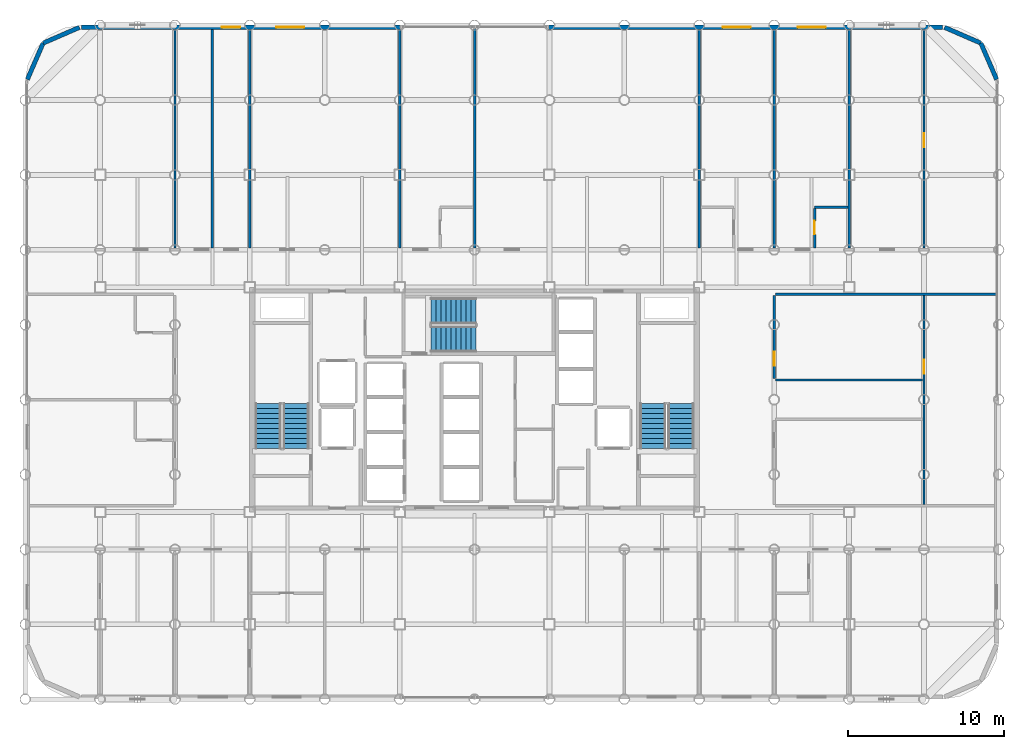
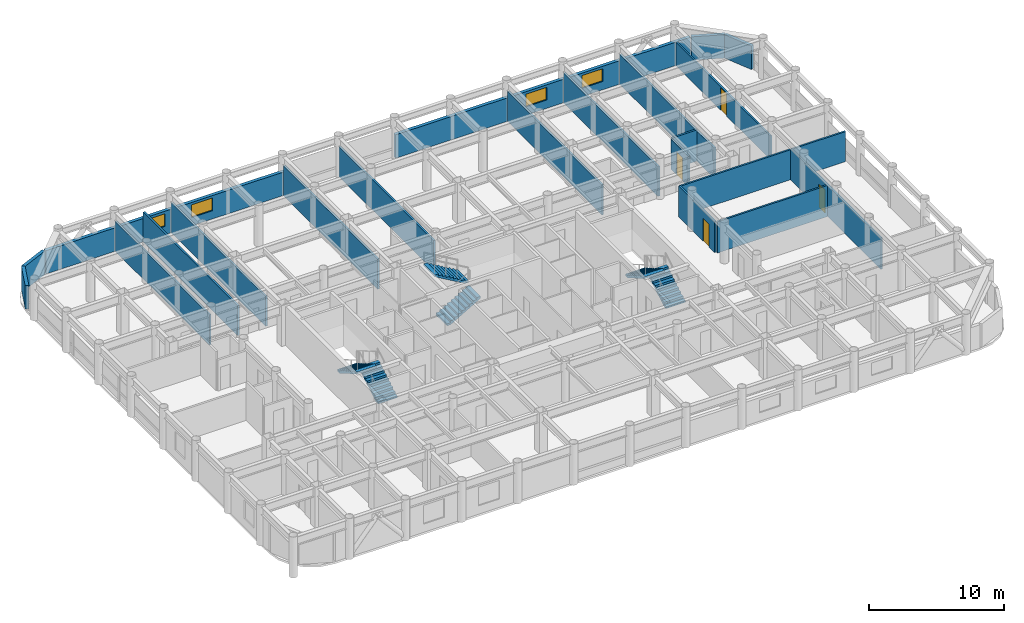
# One storey, part 19 of 20: 21 walls, 6 stair flights, 4 doors, 4 windows, 8 openings, 3 elements without a shape of their own.
"""IFC4 building model written with IfcOpenShell, lengths in metres."""

from ifc_helpers import new_model, si_unit, direction, frame, frame_2d, origin, place, context, subcontext, project, spatial, polyline, rectangle, outline, extrude, material, layer, layer_set, type_object, element, fill, aggregate, save


model = new_model("IFC4")

# Units and contexts
model_context = context("Model", 3, precision=1e-05, world=origin(), true_north=direction((0.0, 1.0)))
body_context = subcontext(model_context, "Body", "Model", "MODEL_VIEW")
ifc_project = project(units=[si_unit("LENGTHUNIT", "METRE"), si_unit("AREAUNIT", "SQUARE_METRE"), si_unit("VOLUMEUNIT", "CUBIC_METRE"), si_unit("PLANEANGLEUNIT", "RADIAN"), si_unit("MASSUNIT", "GRAM", prefix="KILO")], contexts=[model_context])

# Site, building, storey
site_placement = place(None, origin())
site = spatial("IfcSite", under=ifc_project, at=site_placement, CompositionType="ELEMENT")
building_placement = place(site_placement, origin())
building = spatial("IfcBuilding", under=site, at=building_placement, Name="Kallvorn Hotel Tower", CompositionType="ELEMENT")
storey_placement = place(building_placement, frame((0.0, 0.0, 98.89990234375)))
storey = spatial("IfcBuildingStorey", under=building, at=storey_placement, Name="L23", CompositionType="ELEMENT", Elevation=98.89990234375)

# Walls
ifc_material_1 = material(Name="Fire-rated double-layer acoustic gypsum drywall EI 60")
ifc_layer_1 = layer(ifc_material_1, 0.159912109375)
ifc_layer_set_1 = layer_set([ifc_layer_1], Name="WL_DEMISE_160")
wall_type_1 = type_object("IfcWallType", Name="WL_DEMISE_160", PredefinedType="PARTITIONING", material=ifc_layer_set_1)
wall_1_placement = place(storey_placement, frame((21.7900390625, 12.320068359375, 0.0), z_axis=(0.0, 0.0, 1.0), x_axis=(1.0, 0.0, 0.0)))
element("IfcWall", 1, at=wall_1_placement, inside=storey, type_object=wall_type_1, Name="L23 Suite 2307 Standard King Room Partition", PredefinedType="PARTITIONING", context=body_context, shape_type="SweptSolid", body=[
    extrude(rectangle(XDim=2.1298828125, YDim=0.159912109375, at=frame_2d((1.06494140625, 0.0))), origin(), (0.0, 0.0, 1.0), 2.820068359375),
])
wall_2_placement = place(storey_placement, frame((-4.800048828125, 9.719970703125, 0.0), z_axis=(0.0, 0.0, 1.0), x_axis=(0.0, 1.0, 0.0)))
element("IfcWall", 2, at=wall_2_placement, inside=storey, type_object=wall_type_1, Name="L23 Suite 2305 Standard King Room Partition", PredefinedType="PARTITIONING", context=body_context, shape_type="SweptSolid", body=[
    extrude(rectangle(XDim=13.989990234375, YDim=0.159912109375, at=frame_2d((6.9951171875, 0.0))), origin(), (0.0, 0.0, 1.0), 2.72021484375),
])
wall_3_placement = place(storey_placement, frame((0.0, 9.719970703125, 0.0), z_axis=(0.0, 0.0, 1.0), x_axis=(0.0, 1.0, 0.0)))
element("IfcWall", 3, at=wall_3_placement, inside=storey, type_object=wall_type_1, Name="L23 Suite 2305 Standard King Room Partition", PredefinedType="PARTITIONING", context=body_context, shape_type="SweptSolid", body=[
    extrude(rectangle(XDim=14.074951171875, YDim=0.159912109375, at=frame_2d((7.03759765625, 0.0))), origin(), (0.0, 0.0, 1.0), 2.72021484375),
])
for number, where, z_axis, x_axis, name in (
    (4, (14.39990234375, 9.719970703125, 0.0), (0.0, 0.0, 1.0), (0.0, 1.0, 0.0), "L23 Suite 2306 Standard King Room Partition"),
    (5, (19.199951171875, 9.719970703125, 0.0), (0.0, 0.0, 1.0), (0.0, 1.0, 0.0), "L23 Suite 2306 Standard King Room Partition"),
):
    element("IfcWall", number, at=place(storey_placement, frame(where, z_axis=z_axis, x_axis=x_axis)), inside=storey, type_object=wall_type_1, Name=name, PredefinedType="PARTITIONING", context=body_context, shape_type="SweptSolid", body=[
        extrude(rectangle(XDim=13.989990234375, YDim=0.159912109375, at=frame_2d((6.9951171875, 0.0))), origin(), (0.0, 0.0, 1.0), 2.72021484375),
    ])

# Wall, opening, door
wall_4_placement = place(storey_placement, frame((21.7900390625, 9.719970703125, 0.0), z_axis=(0.0, 0.0, 1.0), x_axis=(0.0, 1.0, 0.0)))
wall_4 = element("IfcWall", 6, at=wall_4_placement, inside=storey, type_object=wall_type_1, Name="L23 Suite 2307 Standard King Room Partition", PredefinedType="PARTITIONING", context=body_context, shape_type="SweptSolid", body=[
    extrude(rectangle(XDim=2.51513671875, YDim=0.159912109375, at=frame_2d((1.257568359375, 0.0))), origin(), (0.0, 0.0, 1.0), 2.72021484375),
])
opening_1_placement = place(wall_4_placement, frame((0.8701171875, 0.0, 0.0)))
opening_1 = element("IfcOpeningElement", 7, at=opening_1_placement, cuts=wall_4, Name="Opening BD-I", PredefinedType="OPENING", context=body_context, shape_type="SweptSolid", body=[
    extrude(rectangle(XDim=0.860107421875, YDim=2.10009765625, at=frame_2d((0.43017578125, 1.050048828125))), frame((0.0, 0.094970703125, 0.0), z_axis=(0.0, -1.0, 0.0), x_axis=(1.0, 0.0, 0.0)), (0.0, 0.0, 1.0), 0.18994140625),
])
ifc_material_2 = material(Name="Solid-core walnut veneer fire-rated timber door leaf", Category="wood")
door_type_1 = type_object("IfcDoorType", Name="DR_BATH_860x2100", OperationType="NOTDEFINED", PredefinedType="DOOR", material=ifc_material_2)
door_1_placement = place(opening_1_placement, origin())
door_1 = element("IfcDoor", 8, at=door_1_placement, inside=storey, type_object=door_type_1, Name="L23 Suite 2307 En-Suite Bathroom Door", OperationType="SINGLE_SWING_LEFT", OverallHeight=2.10009765625, OverallWidth=0.860107421875, PredefinedType="DOOR", context=body_context, shape_type="SweptSolid", body=[
    extrude(rectangle(XDim=0.860107421875, YDim=2.10009765625, at=frame_2d((0.43017578125, 1.050048828125))), frame((0.0, 0.02490234375, 0.0), z_axis=(0.0, -1.0, 0.0), x_axis=(1.0, 0.0, 0.0)), (0.0, 0.0, 1.0), 0.050048828125),
])
fill(opening_1, door_1)

# Walls
wall_5_placement = place(storey_placement, frame((24.0, 9.719970703125, 0.0), z_axis=(0.0, 0.0, 1.0), x_axis=(0.0, 1.0, 0.0)))
element("IfcWall", 9, at=wall_5_placement, inside=storey, type_object=wall_type_1, Name="L23 Suite 2307 Standard King Room Partition", PredefinedType="PARTITIONING", context=body_context, shape_type="SweptSolid", body=[
    extrude(rectangle(XDim=13.989990234375, YDim=0.159912109375, at=frame_2d((6.9951171875, 0.0))), origin(), (0.0, 0.0, 1.0), 2.72021484375),
])
ifc_material_3 = material(Name="Precast basalt-clad insulated concrete wall C40/50", Category="masonry")
ifc_layer_2 = layer(ifc_material_3, 0.280029296875)
ifc_layer_set_2 = layer_set([ifc_layer_2], Name="WL_EXT_LOGGIA_280")
wall_type_2 = type_object("IfcWallType", Name="WL_EXT_LOGGIA_280", PredefinedType="SOLIDWALL", material=ifc_layer_set_2)
wall_6_placement = place(storey_placement, frame((33.4580078125, 20.520751953125, 0.0), z_axis=(0.0, 0.0, 1.0), x_axis=(-0.398792985289, 0.917040977756, 0.0)))
element("IfcWall", 10, at=wall_6_placement, inside=storey, type_object=wall_type_2, Name="L23 Rounded Corner Exterior Wall NE1", PredefinedType="SOLIDWALL", context=body_context, shape_type="SweptSolid", body=[
    extrude(rectangle(XDim=2.536376953125, YDim=0.280029296875, at=frame_2d((1.26806640625, 0.0))), origin(), (0.0, 0.0, 1.0), 2.1201171875),
])
for number, where, z_axis, x_axis, name in (
    (11, (32.446533203125, 22.8466796875, 0.0), (0.0, 0.0, 1.0), (-0.917060872934, 0.398747232384, 0.0), "L23 Rounded Corner Exterior Wall NE2"),
    (12, (-25.32080078125, 23.85791015625, 0.0), (0.0, 0.0, 1.0), (-0.917060872934, -0.398747232384, 0.0), "L23 Rounded Corner Exterior Wall NW1"),
):
    element("IfcWall", number, at=place(storey_placement, frame(where, z_axis=z_axis, x_axis=x_axis)), inside=storey, type_object=wall_type_2, Name=name, PredefinedType="SOLIDWALL", context=body_context, shape_type="SweptSolid", body=[
        extrude(rectangle(XDim=2.5361328125, YDim=0.280029296875, at=frame_2d((1.26806640625, 0.0))), origin(), (0.0, 0.0, 1.0), 2.1201171875),
    ])
wall_7_placement = place(storey_placement, frame((-27.646484375, 22.8466796875, 0.0), z_axis=(0.0, 0.0, 1.0), x_axis=(-0.398792985289, -0.917040977756, 0.0)))
element("IfcWall", 13, at=wall_7_placement, inside=storey, type_object=wall_type_2, Name="L23 Rounded Corner Exterior Wall NW2", PredefinedType="SOLIDWALL", context=body_context, shape_type="SweptSolid", body=[
    extrude(rectangle(XDim=2.536376953125, YDim=0.280029296875, at=frame_2d((1.26806640625, 0.0))), origin(), (0.0, 0.0, 1.0), 2.1201171875),
])

# Wall, openings, windows
wall_8_placement = place(storey_placement, frame((-25.199951171875, 23.860107421875, 0.0), z_axis=(0.0, 0.0, 1.0), x_axis=(1.0, 0.0, 0.0)))
wall_8 = element("IfcWall", 14, at=wall_8_placement, inside=storey, type_object=wall_type_2, Name="L23 Exterior Envelope Wall EW-L23-NW", PredefinedType="SOLIDWALL", context=body_context, shape_type="SweptSolid", body=[
    extrude(rectangle(XDim=20.449951171875, YDim=0.280029296875, at=frame_2d((10.22509765625, 0.0))), origin(), (0.0, 0.0, 1.0), 2.1201171875),
])
opening_2_placement = place(wall_8_placement, frame((9.0, 0.0, 0.75)))
opening_2 = element("IfcOpeningElement", 15, at=opening_2_placement, cuts=wall_8, Name="Opening W06A", PredefinedType="OPENING", context=body_context, shape_type="SweptSolid", body=[
    extrude(rectangle(XDim=1.199951171875, YDim=1.14990234375, at=frame_2d((0.60009765625, 0.574951171875))), frame((0.0, 0.155029296875, 0.0), z_axis=(0.0, -1.0, 0.0), x_axis=(1.0, 0.0, 0.0)), (0.0, 0.0, 1.0), 0.31005859375),
])
opening_3_placement = place(wall_8_placement, frame((12.47998046875, 0.0, 0.75)))
opening_3 = element("IfcOpeningElement", 16, at=opening_3_placement, cuts=wall_8, Name="Opening W04A", PredefinedType="OPENING", context=body_context, shape_type="SweptSolid", body=[
    extrude(rectangle(XDim=1.800048828125, YDim=1.14990234375, at=frame_2d((0.89990234375, 0.574951171875))), frame((0.0, 0.155029296875, 0.0), z_axis=(0.0, -1.0, 0.0), x_axis=(1.0, 0.0, 0.0)), (0.0, 0.0, 1.0), 0.31005859375),
])
ifc_material_4 = material(Name="Triple-glazed low-e acoustic solar-control dark glass", Category="glass")
window_type_1 = type_object("IfcWindowType", Name="WN_HTL_1200x1150", PartitioningType="SINGLE_PANEL", PredefinedType="WINDOW", material=ifc_material_4)
window_1_placement = place(opening_2_placement, origin())
window_1 = element("IfcWindow", 17, at=window_1_placement, inside=storey, type_object=window_type_1, Name="L23 Guestroom Exterior Window 09", OverallHeight=1.14990234375, OverallWidth=1.199951171875, PartitioningType="SINGLE_PANEL", PredefinedType="WINDOW", context=body_context, shape_type="SweptSolid", body=[
    extrude(rectangle(XDim=1.199951171875, YDim=1.14990234375, at=frame_2d((0.60009765625, 0.574951171875))), frame((0.0, 0.030029296875, 0.0), z_axis=(0.0, -1.0, 0.0), x_axis=(1.0, 0.0, 0.0)), (0.0, 0.0, 1.0), 0.06005859375),
])
fill(opening_2, window_1)
ifc_material_5 = material(Name="Double-glazed low-e solar-control dark glass", Category="glass")
window_type_2 = type_object("IfcWindowType", Name="WN_HTL_1800x1150", PartitioningType="SINGLE_PANEL", PredefinedType="WINDOW", material=ifc_material_5)
window_2_placement = place(opening_3_placement, origin())
window_2 = element("IfcWindow", 18, at=window_2_placement, inside=storey, type_object=window_type_2, Name="L23 Guestroom Exterior Window 10", OverallHeight=1.14990234375, OverallWidth=1.800048828125, PartitioningType="SINGLE_PANEL", PredefinedType="WINDOW", context=body_context, shape_type="SweptSolid", body=[
    extrude(rectangle(XDim=1.800048828125, YDim=1.14990234375, at=frame_2d((0.89990234375, 0.574951171875))), frame((0.0, 0.030029296875, 0.0), z_axis=(0.0, -1.0, 0.0), x_axis=(1.0, 0.0, 0.0)), (0.0, 0.0, 1.0), 0.06005859375),
])
fill(opening_3, window_2)

wall_9_placement = place(storey_placement, frame((4.75, 23.860107421875, 0.0), z_axis=(0.0, 0.0, 1.0), x_axis=(1.0, 0.0, 0.0)))
wall_9 = element("IfcWall", 19, at=wall_9_placement, inside=storey, type_object=wall_type_2, Name="L23 Exterior Envelope Wall EW-L23-NE", PredefinedType="SOLIDWALL", context=body_context, shape_type="SweptSolid", body=[
    extrude(rectangle(XDim=25.25, YDim=0.280029296875, at=frame_2d((12.625, 0.0))), origin(), (0.0, 0.0, 1.0), 2.1201171875),
])
opening_4_placement = place(wall_9_placement, frame((11.14990234375, 0.0, 0.75)))
opening_4 = element("IfcOpeningElement", 20, at=opening_4_placement, cuts=wall_9, Name="Opening W04A", PredefinedType="OPENING", context=body_context, shape_type="SweptSolid", body=[
    extrude(rectangle(XDim=1.800048828125, YDim=1.14990234375, at=frame_2d((0.89990234375, 0.574951171875))), frame((0.0, 0.155029296875, 0.0), z_axis=(0.0, -1.0, 0.0), x_axis=(1.0, 0.0, 0.0)), (0.0, 0.0, 1.0), 0.31005859375),
])
opening_5_placement = place(wall_9_placement, frame((15.949951171875, 0.0, 0.75)))
opening_5 = element("IfcOpeningElement", 21, at=opening_5_placement, cuts=wall_9, Name="Opening W04A", PredefinedType="OPENING", context=body_context, shape_type="SweptSolid", body=[
    extrude(rectangle(XDim=1.800048828125, YDim=1.14990234375, at=frame_2d((0.89990234375, 0.574951171875))), frame((0.0, 0.155029296875, 0.0), z_axis=(0.0, -1.0, 0.0), x_axis=(1.0, 0.0, 0.0)), (0.0, 0.0, 1.0), 0.31005859375),
])
window_3_placement = place(opening_4_placement, origin())
window_3 = element("IfcWindow", 22, at=window_3_placement, inside=storey, type_object=window_type_2, Name="L23 Guestroom Exterior Window 11", OverallHeight=1.14990234375, OverallWidth=1.800048828125, PartitioningType="SINGLE_PANEL", PredefinedType="WINDOW", context=body_context, shape_type="SweptSolid", body=[
    extrude(rectangle(XDim=1.800048828125, YDim=1.14990234375, at=frame_2d((0.89990234375, 0.574951171875))), frame((0.0, 0.030029296875, 0.0), z_axis=(0.0, -1.0, 0.0), x_axis=(1.0, 0.0, 0.0)), (0.0, 0.0, 1.0), 0.06005859375),
])
fill(opening_4, window_3)
window_4_placement = place(opening_5_placement, origin())
window_4 = element("IfcWindow", 23, at=window_4_placement, inside=storey, type_object=window_type_2, Name="L23 Guestroom Exterior Window 12", OverallHeight=1.14990234375, OverallWidth=1.800048828125, PartitioningType="SINGLE_PANEL", PredefinedType="WINDOW", context=body_context, shape_type="SweptSolid", body=[
    extrude(rectangle(XDim=1.800048828125, YDim=1.14990234375, at=frame_2d((0.89990234375, 0.574951171875))), frame((0.0, 0.030029296875, 0.0), z_axis=(0.0, -1.0, 0.0), x_axis=(1.0, 0.0, 0.0)), (0.0, 0.0, 1.0), 0.06005859375),
])
fill(opening_5, window_4)

# Walls
ifc_material_6 = material(Name="Fire-rated double-layer acoustic gypsum drywall EI 60")
ifc_layer_3 = layer(ifc_material_6, 0.14990234375)
ifc_layer_set_3 = layer_set([ifc_layer_3], Name="WL_PART_150")
wall_type_3 = type_object("IfcWallType", Name="WL_PART_150", PredefinedType="PARTITIONING", material=ifc_layer_set_3)
wall_10_placement = place(storey_placement, frame((19.280029296875, 1.260009765625, 0.0), z_axis=(0.0, 0.0, 1.0), x_axis=(1.0, 0.0, 0.0)))
element("IfcWall", 24, at=wall_10_placement, inside=storey, type_object=wall_type_3, Name="L23 L23 East Inner Screening Salon Partition", PredefinedType="PARTITIONING", context=body_context, shape_type="SweptSolid", body=[
    extrude(rectangle(XDim=9.43994140625, YDim=0.14990234375, at=frame_2d((4.719970703125, 0.0))), origin(), (0.0, 0.0, 1.0), 2.820068359375),
])
wall_11_placement = place(storey_placement, frame((19.280029296875, 6.75, 0.0), z_axis=(0.0, 0.0, 1.0), x_axis=(1.0, 0.0, 0.0)))
element("IfcWall", 25, at=wall_11_placement, inside=storey, type_object=wall_type_3, Name="L23 L23 East Inner Screening Salon Partition", PredefinedType="PARTITIONING", context=body_context, shape_type="SweptSolid", body=[
    extrude(rectangle(XDim=14.14990234375, YDim=0.14990234375, at=frame_2d((7.074951171875, 0.0))), origin(), (0.0, 0.0, 1.0), 2.72021484375),
])
for number, where, z_axis, x_axis, name in (
    (26, (-19.199951171875, 9.719970703125, 0.0), (0.0, 0.0, 1.0), (0.0, 1.0, 0.0), "L23 Housekeeping and Linen Room Partition"),
    (27, (-16.800048828125, 9.719970703125, 0.0), (0.0, 0.0, 1.0), (0.0, 1.0, 0.0), "L23 Guest Tea and Refreshment Bar Partition"),
    (28, (-14.39990234375, 9.719970703125, 0.0), (0.0, 0.0, 1.0), (0.0, 1.0, 0.0), "L23 Guest Tea and Refreshment Bar Partition"),
):
    element("IfcWall", number, at=place(storey_placement, frame(where, z_axis=z_axis, x_axis=x_axis)), inside=storey, type_object=wall_type_3, Name=name, PredefinedType="PARTITIONING", context=body_context, shape_type="SweptSolid", body=[
        extrude(rectangle(XDim=13.989990234375, YDim=0.14990234375, at=frame_2d((6.9951171875, 0.0))), origin(), (0.0, 0.0, 1.0), 2.72021484375),
    ])

# Wall, opening, door
wall_12_placement = place(storey_placement, frame((19.199951171875, 1.344970703125, 0.0), z_axis=(0.0, 0.0, 1.0), x_axis=(0.0, 1.0, 0.0)))
wall_12 = element("IfcWall", 29, at=wall_12_placement, inside=storey, type_object=wall_type_3, Name="L23 L23 East Inner Screening Salon Partition", PredefinedType="PARTITIONING", context=body_context, shape_type="SweptSolid", body=[
    extrude(rectangle(XDim=5.320068359375, YDim=0.14990234375, at=frame_2d((2.66015625, 0.0))), origin(), (0.0, 0.0, 1.0), 2.820068359375),
])
opening_6_placement = place(wall_12_placement, frame((0.81689453125, 0.0, 0.0)))
opening_6 = element("IfcOpeningElement", 30, at=opening_6_placement, cuts=wall_12, Name="Opening SVD1", PredefinedType="OPENING", context=body_context, shape_type="SweptSolid", body=[
    extrude(rectangle(XDim=0.89990234375, YDim=2.10009765625, at=frame_2d((0.449951171875, 1.050048828125))), frame((0.0, 0.08984375, 0.0), z_axis=(0.0, -1.0, 0.0), x_axis=(1.0, 0.0, 0.0)), (0.0, 0.0, 1.0), 0.179931640625),
])
ifc_material_7 = material(Name="Galvanised painted steel fire-rated door assembly", Category="steel")
door_type_2 = type_object("IfcDoorType", Name="DR_SERV_900x2100", OperationType="NOTDEFINED", PredefinedType="DOOR", material=ifc_material_7)
door_2_placement = place(opening_6_placement, origin())
door_2 = element("IfcDoor", 31, at=door_2_placement, inside=storey, type_object=door_type_2, Name="L23 L23 East Inner Screening Salon Door", OperationType="SINGLE_SWING_LEFT", OverallHeight=2.10009765625, OverallWidth=0.89990234375, PredefinedType="DOOR", context=body_context, shape_type="SweptSolid", body=[
    extrude(rectangle(XDim=0.89990234375, YDim=2.10009765625, at=frame_2d((0.449951171875, 1.050048828125))), frame((0.0, 0.02490234375, 0.0), z_axis=(0.0, -1.0, 0.0), x_axis=(1.0, 0.0, 0.0)), (0.0, 0.0, 1.0), 0.050048828125),
])
fill(opening_6, door_2)

wall_13_placement = place(storey_placement, frame((28.800048828125, -6.715087890625, 0.0), z_axis=(0.0, 0.0, 1.0), x_axis=(0.0, 1.0, 0.0)))
wall_13 = element("IfcWall", 32, at=wall_13_placement, inside=storey, type_object=wall_type_3, Name="L23 L23 East Inner Club Bar Partition", PredefinedType="PARTITIONING", context=body_context, shape_type="SweptSolid", body=[
    extrude(rectangle(XDim=13.380126953125, YDim=0.14990234375, at=frame_2d((6.68994140625, 0.0))), origin(), (0.0, 0.0, 1.0), 2.820068359375),
])
opening_7_placement = place(wall_13_placement, frame((8.37939453125, 0.0, 0.0)))
opening_7 = element("IfcOpeningElement", 33, at=opening_7_placement, cuts=wall_13, Name="Opening SVD1", PredefinedType="OPENING", context=body_context, shape_type="SweptSolid", body=[
    extrude(rectangle(XDim=0.89990234375, YDim=2.10009765625, at=frame_2d((0.449951171875, 1.050048828125))), frame((0.0, 0.08984375, 0.0), z_axis=(0.0, -1.0, 0.0), x_axis=(1.0, 0.0, 0.0)), (0.0, 0.0, 1.0), 0.179931640625),
])
door_3_placement = place(opening_7_placement, origin())
door_3 = element("IfcDoor", 34, at=door_3_placement, inside=storey, type_object=door_type_2, Name="L23 L23 E Cordillera Panorama Dining Salon Door", OperationType="SINGLE_SWING_RIGHT", OverallHeight=2.10009765625, OverallWidth=0.89990234375, PredefinedType="DOOR", context=body_context, shape_type="SweptSolid", body=[
    extrude(rectangle(XDim=0.89990234375, YDim=2.10009765625, at=frame_2d((0.449951171875, 1.050048828125))), frame((0.0, 0.02490234375, 0.0), z_axis=(0.0, -1.0, 0.0), x_axis=(1.0, 0.0, 0.0)), (0.0, 0.0, 1.0), 0.050048828125),
])
fill(opening_7, door_3)

wall_14_placement = place(storey_placement, frame((28.800048828125, 9.719970703125, 0.0), z_axis=(0.0, 0.0, 1.0), x_axis=(0.0, 1.0, 0.0)))
wall_14 = element("IfcWall", 35, at=wall_14_placement, inside=storey, type_object=wall_type_3, Name="L23 L23 North-East Reading Club A Partition", PredefinedType="PARTITIONING", context=body_context, shape_type="SweptSolid", body=[
    extrude(rectangle(XDim=13.989990234375, YDim=0.14990234375, at=frame_2d((6.9951171875, 0.0))), origin(), (0.0, 0.0, 1.0), 2.1201171875),
])
opening_8_placement = place(wall_14_placement, frame((6.465087890625, 0.0, 0.0)))
opening_8 = element("IfcOpeningElement", 36, at=opening_8_placement, cuts=wall_14, Name="Opening SVD1A", PredefinedType="OPENING", context=body_context, shape_type="SweptSolid", body=[
    extrude(rectangle(XDim=0.89990234375, YDim=2.02001953125, at=frame_2d((0.449951171875, 1.010009765625))), frame((0.0, 0.08984375, 0.0), z_axis=(0.0, -1.0, 0.0), x_axis=(1.0, 0.0, 0.0)), (0.0, 0.0, 1.0), 0.179931640625),
])
ifc_material_8 = material(Name="Galvanised painted steel fire-rated door assembly", Category="steel")
door_type_3 = type_object("IfcDoorType", Name="DR_SERV_900x2020", OperationType="NOTDEFINED", PredefinedType="DOOR", material=ifc_material_8)
door_4_placement = place(opening_8_placement, origin())
door_4 = element("IfcDoor", 37, at=door_4_placement, inside=storey, type_object=door_type_3, Name="L23 L23 North-East Reading Club B Door", OperationType="SINGLE_SWING_RIGHT", OverallHeight=2.02001953125, OverallWidth=0.89990234375, PredefinedType="DOOR", context=body_context, shape_type="SweptSolid", body=[
    extrude(rectangle(XDim=0.89990234375, YDim=2.02001953125, at=frame_2d((0.449951171875, 1.010009765625))), frame((0.0, 0.02490234375, 0.0), z_axis=(0.0, -1.0, 0.0), x_axis=(1.0, 0.0, 0.0)), (0.0, 0.0, 1.0), 0.050048828125),
])
fill(opening_8, door_4)

# Stair, stair flights
ifc_material_9 = material(Name="Precast concrete C40/50", Category="concrete")
stair_type = type_object("IfcStairType", Name="STR_CORE_DOGLEG", PredefinedType="HALF_TURN_STAIR", material=ifc_material_9)
stair_1_placement = place(storey_placement, origin())
stair_1 = element("IfcStair", 38, at=stair_1_placement, inside=storey, type_object=stair_type, Name="L23 Exit stair ST1", PredefinedType="HALF_TURN_STAIR")
ifc_material_10 = material(Name="Precast concrete C40/50", Category="concrete")
stair_flight_type = type_object("IfcStairFlightType", Name="FLT_CORE_1660", PredefinedType="STRAIGHT", material=ifc_material_10)
stair_flight_1_placement = place(storey_placement, frame((-11.429931640625, -3.139892578125, 0.0), z_axis=(0.0, 0.0, 1.0), x_axis=(0.0, 1.0, 0.0)))
stair_flight_1 = element("IfcStairFlight", 39, at=stair_flight_1_placement, type_object=stair_flight_type, Name="ST1 flight 1", NumberOfRisers=10, NumberOfTreads=9, PredefinedType="STRAIGHT", RiserHeight=0.185, TreadLength=0.32, context=body_context, shape_type="SweptSolid", body=[
    extrude(outline(polyline([(0.0, 0.0), (0.0, 0.18505859375), (0.320068359375, 0.18505859375), (0.320068359375, 0.3701171875), (0.639892578125, 0.3701171875), (0.639892578125, 0.554931640625), (0.9599609375, 0.554931640625), (0.9599609375, 0.739990234375), (1.280029296875, 0.739990234375), (1.280029296875, 0.925048828125), (1.60009765625, 0.925048828125), (1.60009765625, 1.110107421875), (1.919921875, 1.110107421875), (1.919921875, 1.294921875), (2.239990234375, 1.294921875), (2.239990234375, 1.47998046875), (2.56005859375, 1.47998046875), (2.56005859375, 1.6650390625), (2.8798828125, 1.6650390625), (2.8798828125, 1.85009765625), (2.8798828125, 1.491943359375), (0.299560546875, 0.0), (0.0, 0.0)])), frame((0.0, 0.830078125, 0.0), z_axis=(0.0, -1.0, 0.0), x_axis=(1.0, 0.0, 0.0)), (0.0, 0.0, 1.0), 1.659912109375),
])
stair_flight_2_placement = place(storey_placement, frame((-13.22998046875, -0.260009765625, 1.85009765625), z_axis=(0.0, 0.0, 1.0), x_axis=(0.0, -1.0, 0.0)))
stair_flight_2 = element("IfcStairFlight", 40, at=stair_flight_2_placement, type_object=stair_flight_type, Name="ST1 flight 2", NumberOfRisers=10, NumberOfTreads=9, PredefinedType="STRAIGHT", RiserHeight=0.185, TreadLength=0.32, context=body_context, shape_type="SweptSolid", body=[
    extrude(outline(polyline([(0.0, 0.0), (0.0, 0.18505859375), (0.320068359375, 0.18505859375), (0.320068359375, 0.3701171875), (0.639892578125, 0.3701171875), (0.639892578125, 0.554931640625), (0.9599609375, 0.554931640625), (0.9599609375, 0.739990234375), (1.280029296875, 0.739990234375), (1.280029296875, 0.925048828125), (1.60009765625, 0.925048828125), (1.60009765625, 1.110107421875), (1.919921875, 1.110107421875), (1.919921875, 1.294921875), (2.239990234375, 1.294921875), (2.239990234375, 1.47998046875), (2.56005859375, 1.47998046875), (2.56005859375, 1.6650390625), (2.8798828125, 1.6650390625), (2.8798828125, 1.85009765625), (2.8798828125, 1.491943359375), (0.299560546875, 0.0), (0.0, 0.0)])), frame((0.0, 0.830078125, 0.0), z_axis=(0.0, -1.0, 0.0), x_axis=(1.0, 0.0, 0.0)), (0.0, 0.0, 1.0), 1.659912109375),
])
aggregate(stair_1, [stair_flight_1, stair_flight_2])

stair_2_placement = place(storey_placement, origin())
stair_2 = element("IfcStair", 41, at=stair_2_placement, inside=storey, type_object=stair_type, Name="L23 Exit stair ST2", PredefinedType="HALF_TURN_STAIR")
stair_flight_3_placement = place(storey_placement, frame((13.22998046875, -3.139892578125, 0.0), z_axis=(0.0, 0.0, 1.0), x_axis=(0.0, 1.0, 0.0)))
stair_flight_3 = element("IfcStairFlight", 42, at=stair_flight_3_placement, type_object=stair_flight_type, Name="ST2 flight 1", NumberOfRisers=10, NumberOfTreads=9, PredefinedType="STRAIGHT", RiserHeight=0.185, TreadLength=0.32, context=body_context, shape_type="SweptSolid", body=[
    extrude(outline(polyline([(0.0, 0.0), (0.0, 0.18505859375), (0.320068359375, 0.18505859375), (0.320068359375, 0.3701171875), (0.639892578125, 0.3701171875), (0.639892578125, 0.554931640625), (0.9599609375, 0.554931640625), (0.9599609375, 0.739990234375), (1.280029296875, 0.739990234375), (1.280029296875, 0.925048828125), (1.60009765625, 0.925048828125), (1.60009765625, 1.110107421875), (1.919921875, 1.110107421875), (1.919921875, 1.294921875), (2.239990234375, 1.294921875), (2.239990234375, 1.47998046875), (2.56005859375, 1.47998046875), (2.56005859375, 1.6650390625), (2.8798828125, 1.6650390625), (2.8798828125, 1.85009765625), (2.8798828125, 1.491943359375), (0.299560546875, 0.0), (0.0, 0.0)])), frame((0.0, 0.830078125, 0.0), z_axis=(0.0, -1.0, 0.0), x_axis=(1.0, 0.0, 0.0)), (0.0, 0.0, 1.0), 1.659912109375),
])
stair_flight_4_placement = place(storey_placement, frame((11.429931640625, -0.260009765625, 1.85009765625), z_axis=(0.0, 0.0, 1.0), x_axis=(0.0, -1.0, 0.0)))
stair_flight_4 = element("IfcStairFlight", 43, at=stair_flight_4_placement, type_object=stair_flight_type, Name="ST2 flight 2", NumberOfRisers=10, NumberOfTreads=9, PredefinedType="STRAIGHT", RiserHeight=0.185, TreadLength=0.32, context=body_context, shape_type="SweptSolid", body=[
    extrude(outline(polyline([(0.0, 0.0), (0.0, 0.18505859375), (0.320068359375, 0.18505859375), (0.320068359375, 0.3701171875), (0.639892578125, 0.3701171875), (0.639892578125, 0.554931640625), (0.9599609375, 0.554931640625), (0.9599609375, 0.739990234375), (1.280029296875, 0.739990234375), (1.280029296875, 0.925048828125), (1.60009765625, 0.925048828125), (1.60009765625, 1.110107421875), (1.919921875, 1.110107421875), (1.919921875, 1.294921875), (2.239990234375, 1.294921875), (2.239990234375, 1.47998046875), (2.56005859375, 1.47998046875), (2.56005859375, 1.6650390625), (2.8798828125, 1.6650390625), (2.8798828125, 1.85009765625), (2.8798828125, 1.491943359375), (0.299560546875, 0.0), (0.0, 0.0)])), frame((0.0, 0.830078125, 0.0), z_axis=(0.0, -1.0, 0.0), x_axis=(1.0, 0.0, 0.0)), (0.0, 0.0, 1.0), 1.659912109375),
])
aggregate(stair_2, [stair_flight_3, stair_flight_4])

stair_3_placement = place(storey_placement, origin())
stair_3 = element("IfcStair", 44, at=stair_3_placement, inside=storey, type_object=stair_type, Name="L23 Exit stair ST3", PredefinedType="HALF_TURN_STAIR")
stair_flight_5_placement = place(storey_placement, frame((-2.7900390625, 3.8798828125, 0.0), z_axis=(0.0, 0.0, 1.0), x_axis=(1.0, 0.0, 0.0)))
stair_flight_5 = element("IfcStairFlight", 45, at=stair_flight_5_placement, type_object=stair_flight_type, Name="ST3 flight 1", NumberOfRisers=10, NumberOfTreads=9, PredefinedType="STRAIGHT", RiserHeight=0.185, TreadLength=0.32, context=body_context, shape_type="SweptSolid", body=[
    extrude(outline(polyline([(0.0, 0.0), (0.0, 0.18505859375), (0.320068359375, 0.18505859375), (0.320068359375, 0.3701171875), (0.639892578125, 0.3701171875), (0.639892578125, 0.554931640625), (0.9599609375, 0.554931640625), (0.9599609375, 0.739990234375), (1.280029296875, 0.739990234375), (1.280029296875, 0.925048828125), (1.60009765625, 0.925048828125), (1.60009765625, 1.110107421875), (1.919921875, 1.110107421875), (1.919921875, 1.294921875), (2.239990234375, 1.294921875), (2.239990234375, 1.47998046875), (2.56005859375, 1.47998046875), (2.56005859375, 1.6650390625), (2.8798828125, 1.6650390625), (2.8798828125, 1.85009765625), (2.8798828125, 1.491943359375), (0.299560546875, 0.0), (0.0, 0.0)])), frame((0.0, 0.830078125, 0.0), z_axis=(0.0, -1.0, 0.0), x_axis=(1.0, 0.0, 0.0)), (0.0, 0.0, 1.0), 1.659912109375),
])
stair_flight_6_placement = place(storey_placement, frame((0.090087890625, 5.679931640625, 1.85009765625), z_axis=(0.0, 0.0, 1.0), x_axis=(-1.0, 0.0, 0.0)))
stair_flight_6 = element("IfcStairFlight", 46, at=stair_flight_6_placement, type_object=stair_flight_type, Name="ST3 flight 2", NumberOfRisers=10, NumberOfTreads=9, PredefinedType="STRAIGHT", RiserHeight=0.185, TreadLength=0.32, context=body_context, shape_type="SweptSolid", body=[
    extrude(outline(polyline([(0.0, 0.0), (0.0, 0.18505859375), (0.320068359375, 0.18505859375), (0.320068359375, 0.3701171875), (0.639892578125, 0.3701171875), (0.639892578125, 0.554931640625), (0.9599609375, 0.554931640625), (0.9599609375, 0.739990234375), (1.280029296875, 0.739990234375), (1.280029296875, 0.925048828125), (1.60009765625, 0.925048828125), (1.60009765625, 1.110107421875), (1.919921875, 1.110107421875), (1.919921875, 1.294921875), (2.239990234375, 1.294921875), (2.239990234375, 1.47998046875), (2.56005859375, 1.47998046875), (2.56005859375, 1.6650390625), (2.8798828125, 1.6650390625), (2.8798828125, 1.85009765625), (2.8798828125, 1.491943359375), (0.299560546875, 0.0), (0.0, 0.0)])), frame((0.0, 0.830078125, 0.0), z_axis=(0.0, -1.0, 0.0), x_axis=(1.0, 0.0, 0.0)), (0.0, 0.0, 1.0), 1.659912109375),
])
aggregate(stair_3, [stair_flight_5, stair_flight_6])

save(model, "model.ifc")
